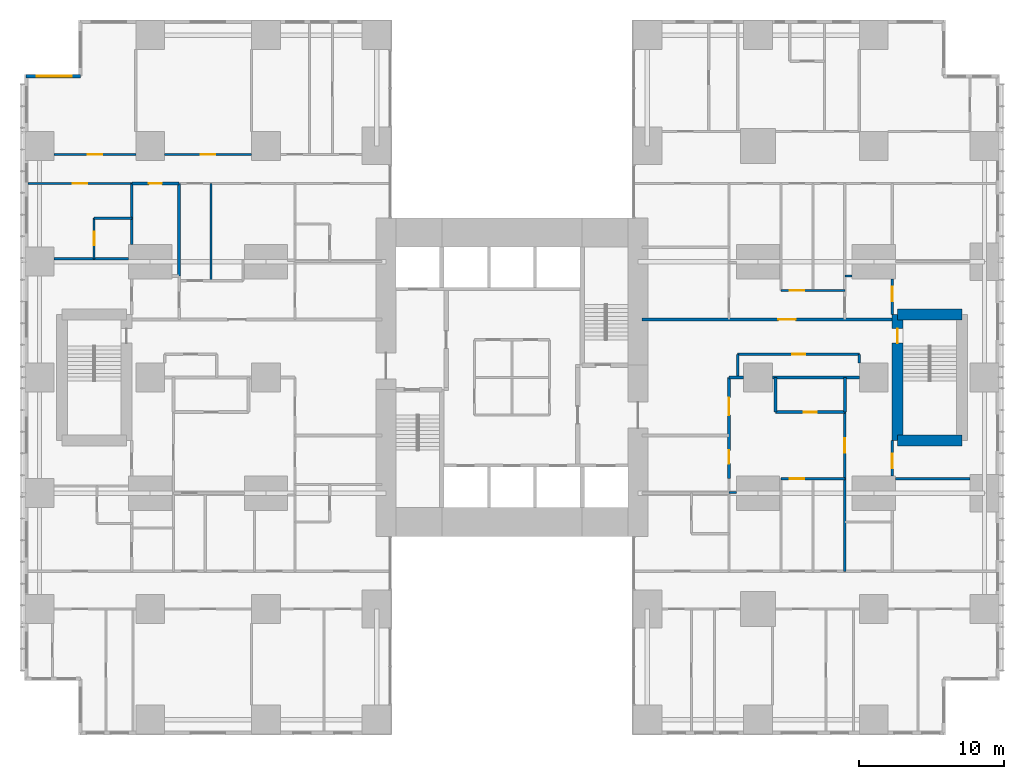
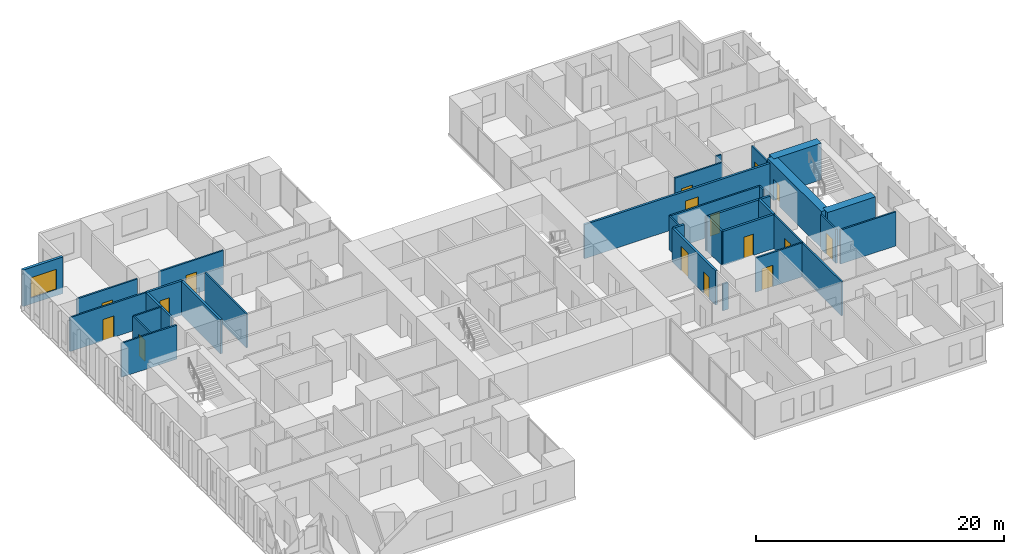
# One storey, part 16 of 20: 32 walls, 16 doors, 1 window, 17 openings.
"""IFC4 building model written with IfcOpenShell, lengths in metres."""

from ifc_helpers import new_model, si_unit, direction, frame, frame_2d, origin, place, context, subcontext, project, spatial, rectangle, extrude, material, layer, layer_set, type_object, element, fill, save


model = new_model("IFC4")

# Units and contexts
model_context = context("Model", 3, precision=1e-05, world=origin(), true_north=direction((0.0, 1.0)))
body_context = subcontext(model_context, "Body", "Model", "MODEL_VIEW")
ifc_project = project(units=[si_unit("LENGTHUNIT", "METRE"), si_unit("AREAUNIT", "SQUARE_METRE"), si_unit("VOLUMEUNIT", "CUBIC_METRE"), si_unit("PLANEANGLEUNIT", "RADIAN"), si_unit("MASSUNIT", "GRAM", prefix="KILO")], contexts=[model_context])

# Site, building, storey
site_placement = place(None, origin())
site = spatial("IfcSite", under=ifc_project, at=site_placement, CompositionType="ELEMENT")
building_placement = place(site_placement, origin())
building = spatial("IfcBuilding", under=site, at=building_placement, Name="Cleftline Residences", CompositionType="ELEMENT")
storey_placement = place(building_placement, frame((0.0, 0.0, 80.0)))
storey = spatial("IfcBuildingStorey", under=building, at=storey_placement, Name="L20", CompositionType="ELEMENT", Elevation=80.0)

# Wall, opening, window
ifc_material_1 = material(Name="Rendered reinforced concrete blockwork", Category="masonry")
ifc_layer_1 = layer(ifc_material_1, 0.25)
ifc_layer_set_1 = layer_set([ifc_layer_1], Name="EXTERNAL WALL 250")
wall_type_1 = type_object("IfcWallType", Name="EXTERNAL WALL 250", PredefinedType="SOLIDWALL", material=ifc_layer_set_1)
wall_1_placement = place(storey_placement, frame((3.175048828125, 44.824951171875, 0.0), z_axis=(0.0, 0.0, 1.0), x_axis=(-1.0, 0.0, 0.0)))
wall_1 = element("IfcWall", 1, at=wall_1_placement, inside=storey, type_object=wall_type_1, Name="External wall", PredefinedType="SOLIDWALL", context=body_context, shape_type="SweptSolid", body=[
    extrude(rectangle(XDim=3.75, YDim=0.25, at=frame_2d((1.875, 0.0))), origin(), (0.0, 0.0, 1.0), 3.60009765625),
])
opening_1_placement = place(wall_1_placement, frame((0.612548828125, 0.0, 0.60009765625)))
opening_1 = element("IfcOpeningElement", 2, at=opening_1_placement, cuts=wall_1, Name="Opening W6", PredefinedType="OPENING", context=body_context, shape_type="SweptSolid", body=[
    extrude(rectangle(XDim=2.39990234375, YDim=2.0, at=frame_2d((1.199951171875, 1.0))), frame((0.0, 0.135009765625, 0.0), z_axis=(0.0, -1.0, 0.0), x_axis=(1.0, 0.0, 0.0)), (0.0, 0.0, 1.0), 0.27001953125),
])
ifc_material_2 = material(Name="Aluminium frame, clear double glazing", Category="aluminium")
window_type = type_object("IfcWindowType", Name="WINDOW 2400X2000", PartitioningType="DOUBLE_PANEL_VERTICAL", PredefinedType="WINDOW", material=ifc_material_2)
window_placement = place(opening_1_placement, origin())
window = element("IfcWindow", 3, at=window_placement, inside=storey, type_object=window_type, Name="Window", OverallHeight=2.0, OverallWidth=2.39990234375, PartitioningType="SINGLE_PANEL", PredefinedType="WINDOW", context=body_context, shape_type="SweptSolid", body=[
    extrude(rectangle(XDim=2.39990234375, YDim=2.0, at=frame_2d((1.199951171875, 1.0))), frame((0.0, 0.030029296875, 0.0), z_axis=(0.0, -1.0, 0.0), x_axis=(1.0, 0.0, 0.0)), (0.0, 0.0, 1.0), 0.06005859375),
])
fill(opening_1, window)

# Wall, opening, door
ifc_material_3 = material(Name="Concrete blockwork, fire rated", Category="masonry")
ifc_layer_2 = layer(ifc_material_3, 0.199951171875)
ifc_layer_set_2 = layer_set([ifc_layer_2], Name="FIRE WALL 200")
wall_type_2 = type_object("IfcWallType", Name="FIRE WALL 200", PredefinedType="PARTITIONING", material=ifc_layer_set_2)
wall_2_placement = place(storey_placement, frame((51.199951171875, 21.60009765625, 0.0), z_axis=(0.0, 0.0, 1.0), x_axis=(1.0, 0.0, 0.0)))
wall_2 = element("IfcWall", 4, at=wall_2_placement, inside=storey, type_object=wall_type_2, Name="Fire separating wall", PredefinedType="PARTITIONING", context=body_context, shape_type="SweptSolid", body=[
    extrude(rectangle(XDim=4.800048828125, YDim=0.199951171875, at=frame_2d((2.39990234375, 0.0))), origin(), (0.0, 0.0, 1.0), 3.35009765625),
])
opening_2_placement = place(wall_2_placement, frame((1.949951171875, 0.0, 0.0)))
opening_2 = element("IfcOpeningElement", 5, at=opening_2_placement, cuts=wall_2, Name="Opening D1F30", PredefinedType="OPENING", context=body_context, shape_type="SweptSolid", body=[
    extrude(rectangle(XDim=0.89990234375, YDim=2.10009765625, at=frame_2d((0.449951171875, 1.050048828125))), frame((0.0, 0.10986328125, 0.0), z_axis=(0.0, -1.0, 0.0), x_axis=(1.0, 0.0, 0.0)), (0.0, 0.0, 1.0), 0.219970703125),
])
ifc_material_4 = material(Name="Timber veneer on solid core", Category="wood")
door_type_1 = type_object("IfcDoorType", Name="DOOR 900X2100 EI 30", OperationType="SINGLE_SWING_LEFT", PredefinedType="DOOR", material=ifc_material_4)
door_1_placement = place(opening_2_placement, origin())
door_1 = element("IfcDoor", 6, at=door_1_placement, inside=storey, type_object=door_type_1, Name="Door to cloakroom wc", OperationType="SINGLE_SWING_LEFT", OverallHeight=2.10009765625, OverallWidth=0.89990234375, PredefinedType="DOOR", context=body_context, shape_type="SweptSolid", body=[
    extrude(rectangle(XDim=0.89990234375, YDim=2.10009765625, at=frame_2d((0.449951171875, 1.050048828125))), frame((0.0, 0.02490234375, 0.0), z_axis=(0.0, -1.0, 0.0), x_axis=(1.0, 0.0, 0.0)), (0.0, 0.0, 1.0), 0.050048828125),
])
fill(opening_2, door_1)

# Walls
wall_3_placement = place(storey_placement, frame((48.0, 24.0, 0.0), z_axis=(0.0, 0.0, 1.0), x_axis=(1.0, 0.0, 0.0)))
element("IfcWall", 7, at=wall_3_placement, inside=storey, type_object=wall_type_2, Name="Fire separating wall", PredefinedType="PARTITIONING", context=body_context, shape_type="SweptSolid", body=[
    extrude(rectangle(XDim=1.0, YDim=0.199951171875, at=frame_2d((0.5, 0.0))), origin(), (0.0, 0.0, 1.0), 3.35009765625),
])
wall_4_placement = place(storey_placement, frame((51.0, 24.0, 0.0), z_axis=(0.0, 0.0, 1.0), x_axis=(1.0, 0.0, 0.0)))
element("IfcWall", 8, at=wall_4_placement, inside=storey, type_object=wall_type_2, Name="Fire separating wall", PredefinedType="PARTITIONING", context=body_context, shape_type="SweptSolid", body=[
    extrude(rectangle(XDim=6.0, YDim=0.199951171875, at=frame_2d((3.0, 0.0))), origin(), (0.0, 0.0, 1.0), 3.35009765625),
])

# Wall, opening, door
wall_5_placement = place(storey_placement, frame((42.0, 28.0, 0.0), z_axis=(0.0, 0.0, 1.0), x_axis=(1.0, 0.0, 0.0)))
wall_5 = element("IfcWall", 9, at=wall_5_placement, inside=storey, type_object=wall_type_2, Name="Fire separating wall", PredefinedType="PARTITIONING", context=body_context, shape_type="SweptSolid", body=[
    extrude(rectangle(XDim=17.27490234375, YDim=0.199951171875, at=frame_2d((8.637451171875, 0.0))), origin(), (0.0, 0.0, 1.0), 3.35009765625),
])
opening_3_placement = place(wall_5_placement, frame((9.39990234375, 0.0, 0.0)))
opening_3 = element("IfcOpeningElement", 10, at=opening_3_placement, cuts=wall_5, Name="Opening D4", PredefinedType="OPENING", context=body_context, shape_type="SweptSolid", body=[
    extrude(rectangle(XDim=1.199951171875, YDim=2.39990234375, at=frame_2d((0.60009765625, 1.199951171875))), frame((0.0, 0.10986328125, 0.0), z_axis=(0.0, -1.0, 0.0), x_axis=(1.0, 0.0, 0.0)), (0.0, 0.0, 1.0), 0.219970703125),
])
ifc_material_5 = material(Name="Timber veneer on solid core", Category="wood")
door_type_2 = type_object("IfcDoorType", Name="APARTMENT ENTRANCE DOOR 1200X2400", OperationType="SINGLE_SWING_RIGHT", PredefinedType="DOOR", material=ifc_material_5)
door_2_placement = place(opening_3_placement, origin())
door_2 = element("IfcDoor", 11, at=door_2_placement, inside=storey, type_object=door_type_2, Name="Door to residence entrance foyer", OperationType="SINGLE_SWING_LEFT", OverallHeight=2.39990234375, OverallWidth=1.199951171875, PredefinedType="DOOR", context=body_context, shape_type="SweptSolid", body=[
    extrude(rectangle(XDim=1.199951171875, YDim=2.39990234375, at=frame_2d((0.60009765625, 1.199951171875))), frame((0.0, 0.02490234375, 0.0), z_axis=(0.0, -1.0, 0.0), x_axis=(1.0, 0.0, 0.0)), (0.0, 0.0, 1.0), 0.050048828125),
])
fill(opening_3, door_2)

wall_6_placement = place(storey_placement, frame((6.72509765625, 37.39990234375, 0.0), z_axis=(0.0, 0.0, 1.0), x_axis=(1.0, 0.0, 0.0)))
wall_6 = element("IfcWall", 12, at=wall_6_placement, inside=storey, type_object=wall_type_2, Name="Fire separating wall", PredefinedType="PARTITIONING", context=body_context, shape_type="SweptSolid", body=[
    extrude(rectangle(XDim=3.27490234375, YDim=0.199951171875, at=frame_2d((1.637451171875, 0.0))), origin(), (0.0, 0.0, 1.0), 3.35009765625),
])
opening_4_placement = place(wall_6_placement, frame((1.1875, 0.0, 0.0)))
opening_4 = element("IfcOpeningElement", 13, at=opening_4_placement, cuts=wall_6, Name="Opening D1F30", PredefinedType="OPENING", context=body_context, shape_type="SweptSolid", body=[
    extrude(rectangle(XDim=0.89990234375, YDim=2.10009765625, at=frame_2d((0.449951171875, 1.050048828125))), frame((0.0, 0.10986328125, 0.0), z_axis=(0.0, -1.0, 0.0), x_axis=(1.0, 0.0, 0.0)), (0.0, 0.0, 1.0), 0.219970703125),
])
door_3_placement = place(opening_4_placement, origin())
door_3 = element("IfcDoor", 14, at=door_3_placement, inside=storey, type_object=door_type_1, Name="Door to guest wc", OperationType="SINGLE_SWING_LEFT", OverallHeight=2.10009765625, OverallWidth=0.89990234375, PredefinedType="DOOR", context=body_context, shape_type="SweptSolid", body=[
    extrude(rectangle(XDim=0.89990234375, YDim=2.10009765625, at=frame_2d((0.449951171875, 1.050048828125))), frame((0.0, 0.02490234375, 0.0), z_axis=(0.0, -1.0, 0.0), x_axis=(1.0, 0.0, 0.0)), (0.0, 0.0, 1.0), 0.050048828125),
])
fill(opening_4, door_3)

# Walls
wall_7_placement = place(storey_placement, frame((6.72509765625, 33.199951171875, 0.0), z_axis=(0.0, 0.0, 1.0), x_axis=(0.0, 1.0, 0.0)))
element("IfcWall", 15, at=wall_7_placement, inside=storey, type_object=wall_type_2, Name="Fire separating wall", PredefinedType="PARTITIONING", context=body_context, shape_type="SweptSolid", body=[
    extrude(rectangle(XDim=4.199951171875, YDim=0.199951171875, at=frame_2d((2.10009765625, 0.0))), origin(), (0.0, 0.0, 1.0), 3.35009765625),
])
wall_8_placement = place(storey_placement, frame((10.0, 31.0, 0.0), z_axis=(0.0, 0.0, 1.0), x_axis=(0.0, 1.0, 0.0)))
element("IfcWall", 16, at=wall_8_placement, inside=storey, type_object=wall_type_2, Name="Fire separating wall", PredefinedType="PARTITIONING", context=body_context, shape_type="SweptSolid", body=[
    extrude(rectangle(XDim=6.39990234375, YDim=0.199951171875, at=frame_2d((3.199951171875, 0.0))), origin(), (0.0, 0.0, 1.0), 3.35009765625),
])

# Wall, openings, doors
wall_9_placement = place(storey_placement, frame((48.0, 17.0, 0.0), z_axis=(0.0, 0.0, 1.0), x_axis=(0.0, 1.0, 0.0)))
wall_9 = element("IfcWall", 17, at=wall_9_placement, inside=storey, type_object=wall_type_2, Name="Fire separating wall", PredefinedType="PARTITIONING", context=body_context, shape_type="SweptSolid", body=[
    extrude(rectangle(XDim=7.0, YDim=0.199951171875, at=frame_2d((3.5, 0.0))), origin(), (0.0, 0.0, 1.0), 3.35009765625),
])
opening_5_placement = place(wall_9_placement, frame((4.39990234375, 0.0, 0.0)))
opening_5 = element("IfcOpeningElement", 18, at=opening_5_placement, cuts=wall_9, Name="Opening D4", PredefinedType="OPENING", context=body_context, shape_type="SweptSolid", body=[
    extrude(rectangle(XDim=1.199951171875, YDim=2.39990234375, at=frame_2d((0.60009765625, 1.199951171875))), frame((0.0, 0.10986328125, 0.0), z_axis=(0.0, -1.0, 0.0), x_axis=(1.0, 0.0, 0.0)), (0.0, 0.0, 1.0), 0.219970703125),
])
opening_6_placement = place(wall_9_placement, frame((1.050048828125, 0.0, 0.0)))
opening_6 = element("IfcOpeningElement", 19, at=opening_6_placement, cuts=wall_9, Name="Opening D1F30", PredefinedType="OPENING", context=body_context, shape_type="SweptSolid", body=[
    extrude(rectangle(XDim=0.89990234375, YDim=2.10009765625, at=frame_2d((0.449951171875, 1.050048828125))), frame((0.0, 0.10986328125, 0.0), z_axis=(0.0, -1.0, 0.0), x_axis=(1.0, 0.0, 0.0)), (0.0, 0.0, 1.0), 0.219970703125),
])
door_4_placement = place(opening_5_placement, origin())
door_4 = element("IfcDoor", 20, at=door_4_placement, inside=storey, type_object=door_type_2, Name="Door to residence entrance foyer", OperationType="SINGLE_SWING_LEFT", OverallHeight=2.39990234375, OverallWidth=1.199951171875, PredefinedType="DOOR", context=body_context, shape_type="SweptSolid", body=[
    extrude(rectangle(XDim=1.199951171875, YDim=2.39990234375, at=frame_2d((0.60009765625, 1.199951171875))), frame((0.0, 0.02490234375, 0.0), z_axis=(0.0, -1.0, 0.0), x_axis=(1.0, 0.0, 0.0)), (0.0, 0.0, 1.0), 0.050048828125),
])
fill(opening_5, door_4)
door_5_placement = place(opening_6_placement, origin())
door_5 = element("IfcDoor", 21, at=door_5_placement, inside=storey, type_object=door_type_1, Name="Door to utility room", OperationType="SINGLE_SWING_RIGHT", OverallHeight=2.10009765625, OverallWidth=0.89990234375, PredefinedType="DOOR", context=body_context, shape_type="SweptSolid", body=[
    extrude(rectangle(XDim=0.89990234375, YDim=2.10009765625, at=frame_2d((0.449951171875, 1.050048828125))), frame((0.0, 0.02490234375, 0.0), z_axis=(0.0, -1.0, 0.0), x_axis=(1.0, 0.0, 0.0)), (0.0, 0.0, 1.0), 0.050048828125),
])
fill(opening_6, door_5)

# Walls
for number, where, z_axis, x_axis, name in (
    (22, (51.199951171875, 21.60009765625, 0.0), (0.0, 0.0, 1.0), (0.0, 1.0, 0.0), "Fire separating wall"),
    (23, (56.0, 21.60009765625, 0.0), (0.0, 0.0, 1.0), (0.0, 1.0, 0.0), "Fire separating wall"),
):
    element("IfcWall", number, at=place(storey_placement, frame(where, z_axis=z_axis, x_axis=x_axis)), inside=storey, type_object=wall_type_2, Name=name, PredefinedType="PARTITIONING", context=body_context, shape_type="SweptSolid", body=[
        extrude(rectangle(XDim=2.39990234375, YDim=0.199951171875, at=frame_2d((1.199951171875, 0.0))), origin(), (0.0, 0.0, 1.0), 3.35009765625),
    ])
ifc_material_6 = material(Name="Gypsum board on steel studs", Category="steel")
ifc_layer_3 = layer(ifc_material_6, 0.14990234375)
ifc_layer_set_3 = layer_set([ifc_layer_3], Name="PARTITION 150")
wall_type_3 = type_object("IfcWallType", Name="PARTITION 150", PredefinedType="PARTITIONING", material=ifc_layer_set_3)
wall_10_placement = place(storey_placement, frame((48.0, 16.050048828125, 0.0), z_axis=(0.0, 0.0, 1.0), x_axis=(1.0, 0.0, 0.0)))
element("IfcWall", 24, at=wall_10_placement, inside=storey, type_object=wall_type_3, Name="Partition", PredefinedType="PARTITIONING", context=body_context, shape_type="SweptSolid", body=[
    extrude(rectangle(XDim=0.5, YDim=0.14990234375, at=frame_2d((0.25, 0.0))), origin(), (0.0, 0.0, 1.0), 2.634033203125),
])

# Wall, opening, door
wall_11_placement = place(storey_placement, frame((51.60009765625, 17.0, 0.0), z_axis=(0.0, 0.0, 1.0), x_axis=(1.0, 0.0, 0.0)))
wall_11 = element("IfcWall", 25, at=wall_11_placement, inside=storey, type_object=wall_type_3, Name="Partition", PredefinedType="PARTITIONING", context=body_context, shape_type="SweptSolid", body=[
    extrude(rectangle(XDim=4.39990234375, YDim=0.14990234375, at=frame_2d((2.199951171875, 0.0))), origin(), (0.0, 0.0, 1.0), 3.35009765625),
])
opening_7_placement = place(wall_11_placement, frame((0.60009765625, 0.0, 0.0)))
opening_7 = element("IfcOpeningElement", 26, at=opening_7_placement, cuts=wall_11, Name="Opening D2", PredefinedType="OPENING", context=body_context, shape_type="SweptSolid", body=[
    extrude(rectangle(XDim=1.0, YDim=2.10009765625, at=frame_2d((0.5, 1.050048828125))), frame((0.0, 0.0849609375, 0.0), z_axis=(0.0, -1.0, 0.0), x_axis=(1.0, 0.0, 0.0)), (0.0, 0.0, 1.0), 0.169921875),
])
ifc_material_7 = material(Name="Timber veneer on solid core", Category="wood")
door_type_3 = type_object("IfcDoorType", Name="DOOR 1000X2100", OperationType="SINGLE_SWING_LEFT", PredefinedType="DOOR", material=ifc_material_7)
door_6_placement = place(opening_7_placement, origin())
door_6 = element("IfcDoor", 27, at=door_6_placement, inside=storey, type_object=door_type_3, Name="Door to residence passage", OperationType="SINGLE_SWING_RIGHT", OverallHeight=2.10009765625, OverallWidth=1.0, PredefinedType="DOOR", context=body_context, shape_type="SweptSolid", body=[
    extrude(rectangle(XDim=1.0, YDim=2.10009765625, at=frame_2d((0.5, 1.050048828125))), frame((0.0, 0.02490234375, 0.0), z_axis=(0.0, -1.0, 0.0), x_axis=(1.0, 0.0, 0.0)), (0.0, 0.0, 1.0), 0.050048828125),
])
fill(opening_7, door_6)

# Wall
wall_12_placement = place(storey_placement, frame((59.5, 17.0, 0.0), z_axis=(0.0, 0.0, 1.0), x_axis=(1.0, 0.0, 0.0)))
element("IfcWall", 28, at=wall_12_placement, inside=storey, type_object=wall_type_3, Name="Partition", PredefinedType="PARTITIONING", context=body_context, shape_type="SweptSolid", body=[
    extrude(rectangle(XDim=5.14990234375, YDim=0.14990234375, at=frame_2d((2.574951171875, 0.0))), origin(), (0.0, 0.0, 1.0), 3.35009765625),
])

# Wall, opening, door
wall_13_placement = place(storey_placement, frame((48.60009765625, 25.60009765625, 0.0), z_axis=(0.0, 0.0, 1.0), x_axis=(1.0, 0.0, 0.0)))
wall_13 = element("IfcWall", 29, at=wall_13_placement, inside=storey, type_object=wall_type_3, Name="Partition", PredefinedType="PARTITIONING", context=body_context, shape_type="SweptSolid", body=[
    extrude(rectangle(XDim=8.39990234375, YDim=0.14990234375, at=frame_2d((4.199951171875, 0.0))), origin(), (0.0, 0.0, 1.0), 3.35009765625),
])
opening_8_placement = place(wall_13_placement, frame((3.75, 0.0, 0.0)))
opening_8 = element("IfcOpeningElement", 30, at=opening_8_placement, cuts=wall_13, Name="Opening D1", PredefinedType="OPENING", context=body_context, shape_type="SweptSolid", body=[
    extrude(rectangle(XDim=0.89990234375, YDim=2.10009765625, at=frame_2d((0.449951171875, 1.050048828125))), frame((0.0, 0.0849609375, 0.0), z_axis=(0.0, -1.0, 0.0), x_axis=(1.0, 0.0, 0.0)), (0.0, 0.0, 1.0), 0.169921875),
])
ifc_material_8 = material(Name="Timber veneer on solid core", Category="wood")
door_type_4 = type_object("IfcDoorType", Name="DOOR 900X2100", OperationType="SINGLE_SWING_LEFT", PredefinedType="DOOR", material=ifc_material_8)
door_7_placement = place(opening_8_placement, origin())
door_7 = element("IfcDoor", 31, at=door_7_placement, inside=storey, type_object=door_type_4, Name="Door to residents' locker room", OperationType="SINGLE_SWING_LEFT", OverallHeight=2.10009765625, OverallWidth=0.89990234375, PredefinedType="DOOR", context=body_context, shape_type="SweptSolid", body=[
    extrude(rectangle(XDim=0.89990234375, YDim=2.10009765625, at=frame_2d((0.449951171875, 1.050048828125))), frame((0.0, 0.02490234375, 0.0), z_axis=(0.0, -1.0, 0.0), x_axis=(1.0, 0.0, 0.0)), (0.0, 0.0, 1.0), 0.050048828125),
])
fill(opening_8, door_7)

wall_14_placement = place(storey_placement, frame((51.60009765625, 30.0, 0.0), z_axis=(0.0, 0.0, 1.0), x_axis=(1.0, 0.0, 0.0)))
wall_14 = element("IfcWall", 32, at=wall_14_placement, inside=storey, type_object=wall_type_3, Name="Partition", PredefinedType="PARTITIONING", context=body_context, shape_type="SweptSolid", body=[
    extrude(rectangle(XDim=4.39990234375, YDim=0.14990234375, at=frame_2d((2.199951171875, 0.0))), origin(), (0.0, 0.0, 1.0), 3.35009765625),
])
opening_9_placement = place(wall_14_placement, frame((0.60009765625, 0.0, 0.0)))
opening_9 = element("IfcOpeningElement", 33, at=opening_9_placement, cuts=wall_14, Name="Opening D2", PredefinedType="OPENING", context=body_context, shape_type="SweptSolid", body=[
    extrude(rectangle(XDim=1.0, YDim=2.10009765625, at=frame_2d((0.5, 1.050048828125))), frame((0.0, 0.0849609375, 0.0), z_axis=(0.0, -1.0, 0.0), x_axis=(1.0, 0.0, 0.0)), (0.0, 0.0, 1.0), 0.169921875),
])
door_8_placement = place(opening_9_placement, origin())
door_8 = element("IfcDoor", 34, at=door_8_placement, inside=storey, type_object=door_type_3, Name="Door to residence passage", OperationType="SINGLE_SWING_RIGHT", OverallHeight=2.10009765625, OverallWidth=1.0, PredefinedType="DOOR", context=body_context, shape_type="SweptSolid", body=[
    extrude(rectangle(XDim=1.0, YDim=2.10009765625, at=frame_2d((0.5, 1.050048828125))), frame((0.0, 0.02490234375, 0.0), z_axis=(0.0, -1.0, 0.0), x_axis=(1.0, 0.0, 0.0)), (0.0, 0.0, 1.0), 0.050048828125),
])
fill(opening_9, door_8)

# Walls
wall_15_placement = place(storey_placement, frame((56.0, 31.0, 0.0), z_axis=(0.0, 0.0, 1.0), x_axis=(1.0, 0.0, 0.0)))
element("IfcWall", 35, at=wall_15_placement, inside=storey, type_object=wall_type_3, Name="Partition", PredefinedType="PARTITIONING", context=body_context, shape_type="SweptSolid", body=[
    extrude(rectangle(XDim=0.5, YDim=0.14990234375, at=frame_2d((0.25, 0.0))), origin(), (0.0, 0.0, 1.0), 3.35009765625),
])
wall_16_placement = place(storey_placement, frame((1.35009765625, 32.199951171875, 0.0), z_axis=(0.0, 0.0, 1.0), x_axis=(1.0, 0.0, 0.0)))
element("IfcWall", 36, at=wall_16_placement, inside=storey, type_object=wall_type_3, Name="Partition", PredefinedType="PARTITIONING", context=body_context, shape_type="SweptSolid", body=[
    extrude(rectangle(XDim=5.14990234375, YDim=0.14990234375, at=frame_2d((2.574951171875, 0.0))), origin(), (0.0, 0.0, 1.0), 3.35009765625),
])
wall_17_placement = place(storey_placement, frame((4.125, 35.0, 0.0), z_axis=(0.0, 0.0, 1.0), x_axis=(1.0, 0.0, 0.0)))
element("IfcWall", 37, at=wall_17_placement, inside=storey, type_object=wall_type_3, Name="Partition", PredefinedType="PARTITIONING", context=body_context, shape_type="SweptSolid", body=[
    extrude(rectangle(XDim=2.60009765625, YDim=0.14990234375, at=frame_2d((1.300048828125, 0.0))), origin(), (0.0, 0.0, 1.0), 3.35009765625),
])

# Wall, opening, door
wall_18_placement = place(storey_placement, frame((-0.449951171875, 37.39990234375, 0.0), z_axis=(0.0, 0.0, 1.0), x_axis=(1.0, 0.0, 0.0)))
wall_18 = element("IfcWall", 38, at=wall_18_placement, inside=storey, type_object=wall_type_3, Name="Partition", PredefinedType="PARTITIONING", context=body_context, shape_type="SweptSolid", body=[
    extrude(rectangle(XDim=7.175048828125, YDim=0.14990234375, at=frame_2d((3.58740234375, 0.0))), origin(), (0.0, 0.0, 1.0), 3.35009765625),
])
opening_10_placement = place(wall_18_placement, frame((3.08740234375, 0.0, 0.0)))
opening_10 = element("IfcOpeningElement", 39, at=opening_10_placement, cuts=wall_18, Name="Opening D2", PredefinedType="OPENING", context=body_context, shape_type="SweptSolid", body=[
    extrude(rectangle(XDim=1.0, YDim=2.10009765625, at=frame_2d((0.5, 1.050048828125))), frame((0.0, 0.0849609375, 0.0), z_axis=(0.0, -1.0, 0.0), x_axis=(1.0, 0.0, 0.0)), (0.0, 0.0, 1.0), 0.169921875),
])
door_9_placement = place(opening_10_placement, origin())
door_9 = element("IfcDoor", 40, at=door_9_placement, inside=storey, type_object=door_type_3, Name="Door to master bedroom", OperationType="SINGLE_SWING_LEFT", OverallHeight=2.10009765625, OverallWidth=1.0, PredefinedType="DOOR", context=body_context, shape_type="SweptSolid", body=[
    extrude(rectangle(XDim=1.0, YDim=2.10009765625, at=frame_2d((0.5, 1.050048828125))), frame((0.0, 0.02490234375, 0.0), z_axis=(0.0, -1.0, 0.0), x_axis=(1.0, 0.0, 0.0)), (0.0, 0.0, 1.0), 0.050048828125),
])
fill(opening_10, door_9)

wall_19_placement = place(storey_placement, frame((1.35009765625, 39.39990234375, 0.0), z_axis=(0.0, 0.0, 1.0), x_axis=(1.0, 0.0, 0.0)))
wall_19 = element("IfcWall", 41, at=wall_19_placement, inside=storey, type_object=wall_type_3, Name="Partition", PredefinedType="PARTITIONING", context=body_context, shape_type="SweptSolid", body=[
    extrude(rectangle(XDim=5.64990234375, YDim=0.14990234375, at=frame_2d((2.824951171875, 0.0))), origin(), (0.0, 0.0, 1.0), 3.35009765625),
])
opening_11_placement = place(wall_19_placement, frame((2.324951171875, 0.0, 0.0)))
opening_11 = element("IfcOpeningElement", 42, at=opening_11_placement, cuts=wall_19, Name="Opening D2", PredefinedType="OPENING", context=body_context, shape_type="SweptSolid", body=[
    extrude(rectangle(XDim=1.0, YDim=2.10009765625, at=frame_2d((0.5, 1.050048828125))), frame((0.0, 0.0849609375, 0.0), z_axis=(0.0, -1.0, 0.0), x_axis=(1.0, 0.0, 0.0)), (0.0, 0.0, 1.0), 0.169921875),
])
door_10_placement = place(opening_11_placement, origin())
door_10 = element("IfcDoor", 43, at=door_10_placement, inside=storey, type_object=door_type_3, Name="Door to winter garden", OperationType="SINGLE_SWING_LEFT", OverallHeight=2.10009765625, OverallWidth=1.0, PredefinedType="DOOR", context=body_context, shape_type="SweptSolid", body=[
    extrude(rectangle(XDim=1.0, YDim=2.10009765625, at=frame_2d((0.5, 1.050048828125))), frame((0.0, 0.02490234375, 0.0), z_axis=(0.0, -1.0, 0.0), x_axis=(1.0, 0.0, 0.0)), (0.0, 0.0, 1.0), 0.050048828125),
])
fill(opening_11, door_10)

wall_20_placement = place(storey_placement, frame((9.0, 39.39990234375, 0.0), z_axis=(0.0, 0.0, 1.0), x_axis=(1.0, 0.0, 0.0)))
wall_20 = element("IfcWall", 44, at=wall_20_placement, inside=storey, type_object=wall_type_3, Name="Partition", PredefinedType="PARTITIONING", context=body_context, shape_type="SweptSolid", body=[
    extrude(rectangle(XDim=6.0, YDim=0.14990234375, at=frame_2d((3.0, 0.0))), origin(), (0.0, 0.0, 1.0), 3.35009765625),
])
opening_12_placement = place(wall_20_placement, frame((2.5, 0.0, 0.0)))
opening_12 = element("IfcOpeningElement", 45, at=opening_12_placement, cuts=wall_20, Name="Opening D2", PredefinedType="OPENING", context=body_context, shape_type="SweptSolid", body=[
    extrude(rectangle(XDim=1.0, YDim=2.10009765625, at=frame_2d((0.5, 1.050048828125))), frame((0.0, 0.0849609375, 0.0), z_axis=(0.0, -1.0, 0.0), x_axis=(1.0, 0.0, 0.0)), (0.0, 0.0, 1.0), 0.169921875),
])
door_11_placement = place(opening_12_placement, origin())
door_11 = element("IfcDoor", 46, at=door_11_placement, inside=storey, type_object=door_type_3, Name="Door to living room", OperationType="SINGLE_SWING_LEFT", OverallHeight=2.10009765625, OverallWidth=1.0, PredefinedType="DOOR", context=body_context, shape_type="SweptSolid", body=[
    extrude(rectangle(XDim=1.0, YDim=2.10009765625, at=frame_2d((0.5, 1.050048828125))), frame((0.0, 0.02490234375, 0.0), z_axis=(0.0, -1.0, 0.0), x_axis=(1.0, 0.0, 0.0)), (0.0, 0.0, 1.0), 0.050048828125),
])
fill(opening_12, door_11)

wall_21_placement = place(storey_placement, frame((4.125, 32.199951171875, 0.0), z_axis=(0.0, 0.0, 1.0), x_axis=(0.0, 1.0, 0.0)))
wall_21 = element("IfcWall", 47, at=wall_21_placement, inside=storey, type_object=wall_type_3, Name="Partition", PredefinedType="PARTITIONING", context=body_context, shape_type="SweptSolid", body=[
    extrude(rectangle(XDim=2.800048828125, YDim=0.14990234375, at=frame_2d((1.39990234375, 0.0))), origin(), (0.0, 0.0, 1.0), 3.35009765625),
])
opening_13_placement = place(wall_21_placement, frame((0.949951171875, 0.0, 0.0)))
opening_13 = element("IfcOpeningElement", 48, at=opening_13_placement, cuts=wall_21, Name="Opening D1", PredefinedType="OPENING", context=body_context, shape_type="SweptSolid", body=[
    extrude(rectangle(XDim=0.89990234375, YDim=2.10009765625, at=frame_2d((0.449951171875, 1.050048828125))), frame((0.0, 0.0849609375, 0.0), z_axis=(0.0, -1.0, 0.0), x_axis=(1.0, 0.0, 0.0)), (0.0, 0.0, 1.0), 0.169921875),
])
door_12_placement = place(opening_13_placement, origin())
door_12 = element("IfcDoor", 49, at=door_12_placement, inside=storey, type_object=door_type_4, Name="Door to master bathroom", OperationType="SINGLE_SWING_LEFT", OverallHeight=2.10009765625, OverallWidth=0.89990234375, PredefinedType="DOOR", context=body_context, shape_type="SweptSolid", body=[
    extrude(rectangle(XDim=0.89990234375, YDim=2.10009765625, at=frame_2d((0.449951171875, 1.050048828125))), frame((0.0, 0.02490234375, 0.0), z_axis=(0.0, -1.0, 0.0), x_axis=(1.0, 0.0, 0.0)), (0.0, 0.0, 1.0), 0.050048828125),
])
fill(opening_13, door_12)

# Walls
wall_22_placement = place(storey_placement, frame((12.199951171875, 30.675048828125, 0.0), z_axis=(0.0, 0.0, 1.0), x_axis=(0.0, 1.0, 0.0)))
element("IfcWall", 50, at=wall_22_placement, inside=storey, type_object=wall_type_3, Name="Partition", PredefinedType="PARTITIONING", context=body_context, shape_type="SweptSolid", body=[
    extrude(rectangle(XDim=6.724853515625, YDim=0.14990234375, at=frame_2d((3.3623046875, 0.0))), origin(), (0.0, 0.0, 1.0), 3.35009765625),
])
wall_23_placement = place(storey_placement, frame((48.60009765625, 24.0, 0.0), z_axis=(0.0, 0.0, 1.0), x_axis=(0.0, 1.0, 0.0)))
element("IfcWall", 51, at=wall_23_placement, inside=storey, type_object=wall_type_3, Name="Partition", PredefinedType="PARTITIONING", context=body_context, shape_type="SweptSolid", body=[
    extrude(rectangle(XDim=1.60009765625, YDim=0.14990234375, at=frame_2d((0.800048828125, 0.0))), origin(), (0.0, 0.0, 1.0), 3.35009765625),
])

# Wall, opening, door
wall_24_placement = place(storey_placement, frame((56.0, 10.60009765625, 0.0), z_axis=(0.0, 0.0, 1.0), x_axis=(0.0, 1.0, 0.0)))
wall_24 = element("IfcWall", 52, at=wall_24_placement, inside=storey, type_object=wall_type_3, Name="Partition", PredefinedType="PARTITIONING", context=body_context, shape_type="SweptSolid", body=[
    extrude(rectangle(XDim=11.0, YDim=0.14990234375, at=frame_2d((5.5, 0.0))), origin(), (0.0, 0.0, 1.0), 3.35009765625),
])
opening_14_placement = place(wall_24_placement, frame((8.199951171875, 0.0, 0.0)))
opening_14 = element("IfcOpeningElement", 53, at=opening_14_placement, cuts=wall_24, Name="Opening D2F30", PredefinedType="OPENING", context=body_context, shape_type="SweptSolid", body=[
    extrude(rectangle(XDim=1.0, YDim=2.10009765625, at=frame_2d((0.5, 1.050048828125))), frame((0.0, 0.0849609375, 0.0), z_axis=(0.0, -1.0, 0.0), x_axis=(1.0, 0.0, 0.0)), (0.0, 0.0, 1.0), 0.169921875),
])
ifc_material_9 = material(Name="Timber veneer on solid core", Category="wood")
door_type_5 = type_object("IfcDoorType", Name="DOOR 1000X2100 EI 30", OperationType="SINGLE_SWING_LEFT", PredefinedType="DOOR", material=ifc_material_9)
door_13_placement = place(opening_14_placement, origin())
door_13 = element("IfcDoor", 54, at=door_13_placement, inside=storey, type_object=door_type_5, Name="Door to residence lobby", OperationType="SINGLE_SWING_LEFT", OverallHeight=2.10009765625, OverallWidth=1.0, PredefinedType="DOOR", context=body_context, shape_type="SweptSolid", body=[
    extrude(rectangle(XDim=1.0, YDim=2.10009765625, at=frame_2d((0.5, 1.050048828125))), frame((0.0, 0.02490234375, 0.0), z_axis=(0.0, -1.0, 0.0), x_axis=(1.0, 0.0, 0.0)), (0.0, 0.0, 1.0), 0.050048828125),
])
fill(opening_14, door_13)

# Wall
wall_25_placement = place(storey_placement, frame((57.0, 25.0, 0.0), z_axis=(0.0, 0.0, 1.0), x_axis=(0.0, 1.0, 0.0)))
element("IfcWall", 55, at=wall_25_placement, inside=storey, type_object=wall_type_3, Name="Partition", PredefinedType="PARTITIONING", context=body_context, shape_type="SweptSolid", body=[
    extrude(rectangle(XDim=0.60009765625, YDim=0.14990234375, at=frame_2d((0.300048828125, 0.0))), origin(), (0.0, 0.0, 1.0), 3.35009765625),
])

# Wall, opening, door
wall_26_placement = place(storey_placement, frame((59.27490234375, 17.199951171875, 0.0), z_axis=(0.0, 0.0, 1.0), x_axis=(0.0, 1.0, 0.0)))
wall_26 = element("IfcWall", 56, at=wall_26_placement, inside=storey, type_object=wall_type_3, Name="Partition", PredefinedType="PARTITIONING", context=body_context, shape_type="SweptSolid", body=[
    extrude(rectangle(XDim=2.449951171875, YDim=0.14990234375, at=frame_2d((1.22509765625, 0.0))), origin(), (0.0, 0.0, 1.0), 3.35009765625),
])
opening_15_placement = place(wall_26_placement, frame((0.53759765625, 0.0, 0.0)))
opening_15 = element("IfcOpeningElement", 57, at=opening_15_placement, cuts=wall_26, Name="Opening D2", PredefinedType="OPENING", context=body_context, shape_type="SweptSolid", body=[
    extrude(rectangle(XDim=1.0, YDim=2.10009765625, at=frame_2d((0.5, 1.050048828125))), frame((0.0, 0.0849609375, 0.0), z_axis=(0.0, -1.0, 0.0), x_axis=(1.0, 0.0, 0.0)), (0.0, 0.0, 1.0), 0.169921875),
])
door_14_placement = place(opening_15_placement, origin())
door_14 = element("IfcDoor", 58, at=door_14_placement, inside=storey, type_object=door_type_3, Name="Door to winter garden", OperationType="SINGLE_SWING_RIGHT", OverallHeight=2.10009765625, OverallWidth=1.0, PredefinedType="DOOR", context=body_context, shape_type="SweptSolid", body=[
    extrude(rectangle(XDim=1.0, YDim=2.10009765625, at=frame_2d((0.5, 1.050048828125))), frame((0.0, 0.02490234375, 0.0), z_axis=(0.0, -1.0, 0.0), x_axis=(1.0, 0.0, 0.0)), (0.0, 0.0, 1.0), 0.050048828125),
])
fill(opening_15, door_14)

wall_27_placement = place(storey_placement, frame((59.27490234375, 28.35009765625, 0.0), z_axis=(0.0, 0.0, 1.0), x_axis=(0.0, 1.0, 0.0)))
wall_27 = element("IfcWall", 59, at=wall_27_placement, inside=storey, type_object=wall_type_3, Name="Partition", PredefinedType="PARTITIONING", context=body_context, shape_type="SweptSolid", body=[
    extrude(rectangle(XDim=2.449951171875, YDim=0.14990234375, at=frame_2d((1.22509765625, 0.0))), origin(), (0.0, 0.0, 1.0), 3.35009765625),
])
opening_16_placement = place(wall_27_placement, frame((0.91259765625, 0.0, 0.0)))
opening_16 = element("IfcOpeningElement", 60, at=opening_16_placement, cuts=wall_27, Name="Opening D2", PredefinedType="OPENING", context=body_context, shape_type="SweptSolid", body=[
    extrude(rectangle(XDim=1.0, YDim=2.10009765625, at=frame_2d((0.5, 1.050048828125))), frame((0.0, 0.0849609375, 0.0), z_axis=(0.0, -1.0, 0.0), x_axis=(1.0, 0.0, 0.0)), (0.0, 0.0, 1.0), 0.169921875),
])
door_15_placement = place(opening_16_placement, origin())
door_15 = element("IfcDoor", 61, at=door_15_placement, inside=storey, type_object=door_type_3, Name="Door to sea-view dining room", OperationType="SINGLE_SWING_LEFT", OverallHeight=2.10009765625, OverallWidth=1.0, PredefinedType="DOOR", context=body_context, shape_type="SweptSolid", body=[
    extrude(rectangle(XDim=1.0, YDim=2.10009765625, at=frame_2d((0.5, 1.050048828125))), frame((0.0, 0.02490234375, 0.0), z_axis=(0.0, -1.0, 0.0), x_axis=(1.0, 0.0, 0.0)), (0.0, 0.0, 1.0), 0.050048828125),
])
fill(opening_16, door_15)

# Walls
ifc_material_10 = material(Name="Concrete B70", Category="concrete")
ifc_layer_4 = layer(ifc_material_10, 0.75)
ifc_layer_set_4 = layer_set([ifc_layer_4], Name="SHEAR WALL 750")
wall_type_4 = type_object("IfcWallType", Name="SHEAR WALL 750", PredefinedType="SHEAR", material=ifc_layer_set_4)
for number, where, z_axis, x_axis, name in (
    (62, (59.64990234375, 19.64990234375, 0.0), (0.0, 0.0, 1.0), (1.0, 0.0, 0.0), "Wing shear wall"),
    (63, (64.10009765625, 28.35009765625, 0.0), (0.0, 0.0, 1.0), (-1.0, 0.0, 0.0), "Wing shear wall"),
):
    element("IfcWall", number, at=place(storey_placement, frame(where, z_axis=z_axis, x_axis=x_axis)), inside=storey, type_object=wall_type_4, Name=name, PredefinedType="SHEAR", context=body_context, shape_type="SweptSolid", body=[
        extrude(rectangle(XDim=4.4501953125, YDim=0.75, at=frame_2d((2.22509765625, 0.0))), origin(), (0.0, 0.0, 1.0), 3.60009765625),
    ])

# Wall, opening, door
wall_28_placement = place(storey_placement, frame((59.64990234375, 28.35009765625, 0.0), z_axis=(0.0, 0.0, 1.0), x_axis=(0.0, -1.0, 0.0)))
wall_28 = element("IfcWall", 64, at=wall_28_placement, inside=storey, type_object=wall_type_4, Name="Wing shear wall", PredefinedType="SHEAR", context=body_context, shape_type="SweptSolid", body=[
    extrude(rectangle(XDim=8.7001953125, YDim=0.75, at=frame_2d((4.35009765625, 0.0))), origin(), (0.0, 0.0, 1.0), 3.60009765625),
])
opening_17_placement = place(wall_28_placement, frame((0.97509765625, 0.0, 0.0)))
opening_17 = element("IfcOpeningElement", 65, at=opening_17_placement, cuts=wall_28, Name="Opening D5", PredefinedType="OPENING", context=body_context, shape_type="SweptSolid", body=[
    extrude(rectangle(XDim=1.0, YDim=2.10009765625, at=frame_2d((0.5, 1.050048828125))), frame((0.0, 0.385009765625, 0.0), z_axis=(0.0, -1.0, 0.0), x_axis=(1.0, 0.0, 0.0)), (0.0, 0.0, 1.0), 0.77001953125),
])
ifc_material_11 = material(Name="Steel", Category="steel")
door_type_6 = type_object("IfcDoorType", Name="STAIR DOOR 1000X2100", OperationType="SINGLE_SWING_LEFT", PredefinedType="DOOR", material=ifc_material_11)
door_16_placement = place(opening_17_placement, origin())
door_16 = element("IfcDoor", 66, at=door_16_placement, inside=storey, type_object=door_type_6, Name="Stair E door", OperationType="SINGLE_SWING_RIGHT", OverallHeight=2.10009765625, OverallWidth=1.0, PredefinedType="DOOR", context=body_context, shape_type="SweptSolid", body=[
    extrude(rectangle(XDim=1.0, YDim=2.10009765625, at=frame_2d((0.5, 1.050048828125))), frame((0.0, 0.02490234375, 0.0), z_axis=(0.0, -1.0, 0.0), x_axis=(1.0, 0.0, 0.0)), (0.0, 0.0, 1.0), 0.050048828125),
])
fill(opening_17, door_16)

save(model, "model.ifc")
